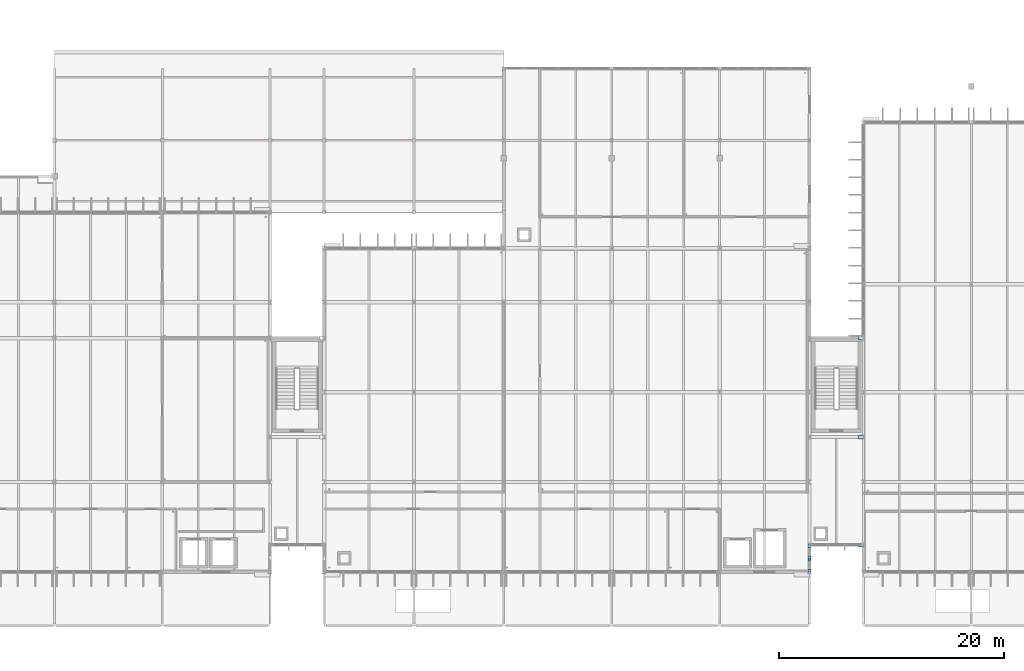
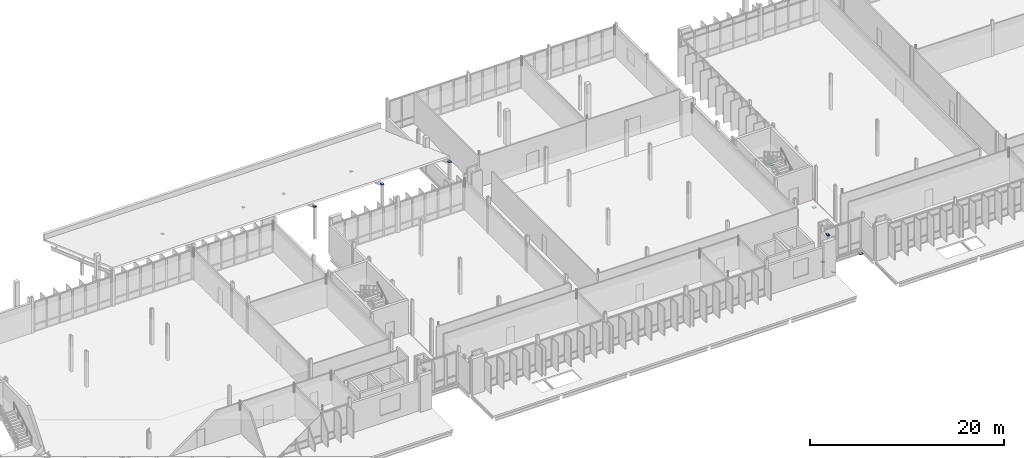
# One storey, part 58 of 107: 14 plates.
"""IFC4 building model written with IfcOpenShell, lengths in metres."""

from ifc_helpers import new_model, si_unit, direction, frame, origin, origin_2d, place, context, subcontext, project, spatial, rectangle, extrude, material, layer, layer_set, type_object, element, save


model = new_model("IFC4")

# Units and contexts
model_context = context("Model", 3, precision=1e-05, world=origin(), true_north=direction((0.0, 1.0)))
body_context = subcontext(model_context, "Body", "Model", "MODEL_VIEW")
ifc_project = project(units=[si_unit("LENGTHUNIT", "METRE"), si_unit("AREAUNIT", "SQUARE_METRE"), si_unit("VOLUMEUNIT", "CUBIC_METRE"), si_unit("PLANEANGLEUNIT", "RADIAN"), si_unit("MASSUNIT", "GRAM", prefix="KILO")], contexts=[model_context])

# Site, building, storey
site_placement = place(None, origin())
site = spatial("IfcSite", under=ifc_project, at=site_placement, CompositionType="ELEMENT")
building_placement = place(site_placement, origin())
building = spatial("IfcBuilding", under=site, at=building_placement, Name="Dunescarp Central Library", CompositionType="ELEMENT")
storey_placement = place(building_placement, frame((0.0, 0.0, 5.10009765625)))
storey = spatial("IfcBuildingStorey", under=building, at=storey_placement, Name="L01", CompositionType="ELEMENT", Elevation=5.10009765625)

# Plates
ifc_material = material(Name="Steel S355J0", Category="steel")
ifc_layer_1 = layer(ifc_material, 0.035888671875)
ifc_layer_set_1 = layer_set([ifc_layer_1], Name="Steel S355J0")
plate_type_1 = type_object("IfcPlateType", Name="STR-PLT-ECP1", PredefinedType="USERDEFINED", material=ifc_layer_set_1)
for number, where, z_axis, x_axis, name in (
    (1, (67.199951171875, 43.199951171875, 1.77001953125), (0.0, 0.0, 1.0), (1.0, 0.0, 0.0), "Column top cap plate ECP-C027"),
    (2, (76.800048828125, 43.199951171875, 1.77001953125), (0.0, 0.0, 1.0), (1.0, 0.0, 0.0), "Column top cap plate ECP-C029"),
    (3, (81.60009765625, 36.800048828125, 4.06005859375), (0.0, 0.0, 1.0), (1.0, 0.0, 0.0), "Column top cap plate ECP-C031"),
    (4, (81.60009765625, 43.199951171875, 1.77001953125), (0.0, 0.0, 1.0), (1.0, 0.0, 0.0), "Column top cap plate ECP-C032"),
    (5, (89.60009765625, 36.800048828125, 4.06005859375), (0.0, 0.0, 1.0), (1.0, 0.0, 0.0), "Column top cap plate ECP-C034"),
    (6, (89.60009765625, 43.199951171875, 1.77001953125), (0.0, 0.0, 1.0), (1.0, 0.0, 0.0), "Column top cap plate ECP-C035"),
    (7, (97.60009765625, 36.800048828125, 4.06005859375), (0.0, 0.0, 1.0), (1.0, 0.0, 0.0), "Column top cap plate ECP-C037"),
):
    element("IfcPlate", number, at=place(storey_placement, frame(where, z_axis=z_axis, x_axis=x_axis)), inside=storey, type_object=plate_type_1, Name=name, ObjectType="GUSSET_PLATE", PredefinedType="USERDEFINED", context=body_context, shape_type="SweptSolid", body=[
        extrude(rectangle(XDim=0.31005859375, YDim=0.31005859375, at=origin_2d()), origin(), (0.0, 0.0, 1.0), 0.035888671875),
    ])
ifc_layer_2 = layer(ifc_material, 0.02001953125)
ifc_layer_set_2 = layer_set([ifc_layer_2], Name="Steel S355J0")
plate_type_2 = type_object("IfcPlateType", Name="STR-PLT-GUS1", PredefinedType="USERDEFINED", material=ifc_layer_set_2)
for number, where, z_axis, x_axis, name in (
    (8, (124.800048828125, 4.919921875, -0.01806640625), (0.0, 0.0, 1.0), (1.0, 0.0, 0.0), "Brace foot gusset plate GP-085"),
    (9, (124.800048828125, 7.080078125, -0.01806640625), (0.0, 0.0, 1.0), (1.0, 0.0, 0.0), "Brace foot gusset plate GP-087"),
):
    element("IfcPlate", number, at=place(storey_placement, frame(where, z_axis=z_axis, x_axis=x_axis)), inside=storey, type_object=plate_type_2, Name=name, ObjectType="GUSSET_PLATE", PredefinedType="USERDEFINED", context=body_context, shape_type="SweptSolid", body=[
        extrude(rectangle(XDim=0.279052734375, YDim=0.279052734375, at=origin_2d()), origin(), (0.0, 0.0, 1.0), 0.035888671875),
    ])
ifc_layer_3 = layer(ifc_material, 0.01611328125)
ifc_layer_set_3 = layer_set([ifc_layer_3], Name="Steel S355J0")
plate_type_3 = type_object("IfcPlateType", Name="STR-PLT-GUS2", PredefinedType="USERDEFINED", material=ifc_layer_set_3)
for number, where, z_axis, x_axis, name in (
    (10, (124.800048828125, 5.919921875, 4.03173828125), (0.0, 0.0, 1.0), (1.0, 0.0, 0.0), "Brace apex gusset plate GP-086"),
    (11, (124.800048828125, 6.080078125, 4.03173828125), (0.0, 0.0, 1.0), (1.0, 0.0, 0.0), "Brace apex gusset plate GP-088"),
):
    element("IfcPlate", number, at=place(storey_placement, frame(where, z_axis=z_axis, x_axis=x_axis)), inside=storey, type_object=plate_type_3, Name=name, ObjectType="GUSSET_PLATE", PredefinedType="USERDEFINED", context=body_context, shape_type="SweptSolid", body=[
        extrude(rectangle(XDim=0.279052734375, YDim=0.279052734375, at=origin_2d()), origin(), (0.0, 0.0, 1.0), 0.035888671875),
    ])
ifc_layer_4 = layer(ifc_material, 0.0400390625)
ifc_layer_set_4 = layer_set([ifc_layer_4], Name="Steel S355J0")
plate_type_4 = type_object("IfcPlateType", Name="STR-PLT-SEAT420", PredefinedType="USERDEFINED", material=ifc_layer_set_4)
for number, where, z_axis, x_axis, name in (
    (12, (129.389892578125, 7.199951171875, -0.650146484375), (0.0, 0.0, 1.0), (1.0, 0.0, 0.0), "L01 GL3 420 mm sliding link bearing seat BRG-03"),
    (13, (129.389892578125, 16.800048828125, -0.650146484375), (0.0, 0.0, 1.0), (1.0, 0.0, 0.0), "L01 GL3 420 mm sliding link bearing seat BRG-03"),
    (14, (129.389892578125, 25.60009765625, -0.650146484375), (0.0, 0.0, 1.0), (1.0, 0.0, 0.0), "L01 GL3 420 mm sliding link bearing seat BRG-03"),
):
    element("IfcPlate", number, at=place(storey_placement, frame(where, z_axis=z_axis, x_axis=x_axis)), inside=storey, type_object=plate_type_4, Name=name, ObjectType="BASE_PLATE", PredefinedType="USERDEFINED", context=body_context, shape_type="SweptSolid", body=[
        extrude(rectangle(XDim=0.419921875, YDim=0.360107421875, at=origin_2d()), origin(), (0.0, 0.0, 1.0), 0.0400390625),
    ])

save(model, "model.ifc")
